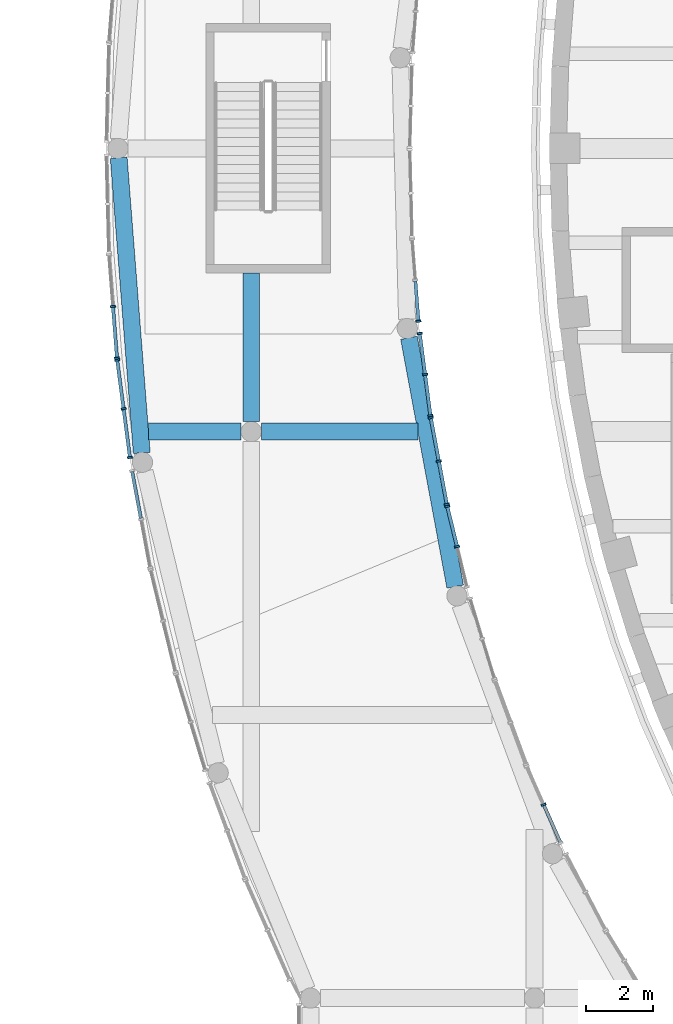
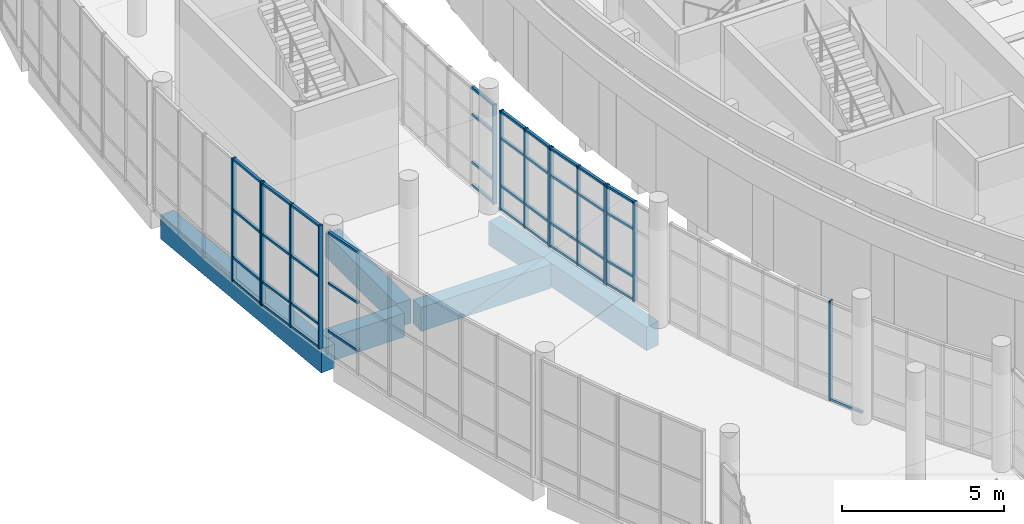
# One storey, part 17 of 119: 55 members, 5 beams, 8 elements without a shape of their own.
"""IFC4 building model written with IfcOpenShell, lengths in metres."""

from ifc_helpers import new_model, si_unit, direction, frame, origin, origin_2d, place, context, subcontext, project, spatial, rectangle, extrude, material, layer, layer_set, material_profile, profile_set, type_object, element, aggregate, save


model = new_model("IFC4")

# Units and contexts
model_context = context("Model", 3, precision=1e-05, world=origin(), true_north=direction((0.0, 1.0)))
body_context = subcontext(model_context, "Body", "Model", "MODEL_VIEW")
ifc_project = project(units=[si_unit("LENGTHUNIT", "METRE"), si_unit("AREAUNIT", "SQUARE_METRE"), si_unit("VOLUMEUNIT", "CUBIC_METRE"), si_unit("PLANEANGLEUNIT", "RADIAN"), si_unit("MASSUNIT", "GRAM", prefix="KILO")], contexts=[model_context])

# Site, building, storey
site_placement = place(None, origin())
site = spatial("IfcSite", under=ifc_project, at=site_placement, CompositionType="ELEMENT")
building_placement = place(site_placement, origin())
building = spatial("IfcBuilding", under=site, at=building_placement, Name="Larchfold Concert Hall", CompositionType="ELEMENT")
storey_placement = place(building_placement, frame((0.0, 0.0, 4.800048828125)))
storey = spatial("IfcBuildingStorey", under=building, at=storey_placement, Name="L01", CompositionType="ELEMENT", Elevation=4.800048828125)

# Curtain wall, member
ifc_material_1 = material(Name="Anodised graphite aluminium curtain wall", Category="aluminium")
ifc_layer = layer(ifc_material_1, 0.14990234375)
ifc_layer_set = layer_set([ifc_layer], Name="Anodised graphite aluminium curtain wall")
curtain_wall_type = type_object("IfcCurtainWallType", Name="Curtain wall WG", PredefinedType="NOTDEFINED", material=ifc_layer_set)
curtain_wall_1_placement = place(storey_placement, origin())
curtain_wall_1 = element("IfcCurtainWall", 1, at=curtain_wall_1_placement, inside=storey, type_object=curtain_wall_type, Name="Curtain wall CW0139", PredefinedType="NOTDEFINED")
ifc_material_2 = material(Name="Anodised graphite aluminium mullion", Category="aluminium")
ifc_material_profile_1 = material_profile(ifc_material_2, rectangle(XDim=0.14990234375, YDim=0.06005859375, at=origin_2d()))
ifc_profile_set_1 = profile_set([ifc_material_profile_1], Name="Anodised graphite aluminium mullion")
member_type_1 = type_object("IfcMemberType", Name="Aluminium mullion 60x150", PredefinedType="MULLION", material=ifc_profile_set_1)
member_1_placement = place(storey_placement, frame((17.672119140625, 65.135986328125, 0.0), z_axis=(0.0, 0.0, 1.0), x_axis=(-0.914747417506, -0.40402618995, 0.0)))
member_1 = element("IfcMember", 2, at=member_1_placement, type_object=member_type_1, Name="CW0139 mullion 2", PredefinedType="MULLION", context=body_context, shape_type="SweptSolid", body=[
    extrude(rectangle(XDim=0.14990234375, YDim=0.06005859375, at=origin_2d()), origin(), (0.0, 0.0, 1.0), 3.75),
])

# Curtain wall, members
curtain_wall_2_placement = place(storey_placement, origin())
curtain_wall_2 = element("IfcCurtainWall", 3, at=curtain_wall_2_placement, inside=storey, type_object=curtain_wall_type, Name="Curtain wall CW0142", PredefinedType="NOTDEFINED")
member_2_placement = place(storey_placement, frame((15.1044921875, 72.787841796875, 0.0), z_axis=(0.0, 0.0, 1.0), x_axis=(-0.971766073128, -0.235946390347, 0.0)))
member_2 = element("IfcMember", 4, at=member_2_placement, type_object=member_type_1, Name="CW0142 mullion 2", PredefinedType="MULLION", context=body_context, shape_type="SweptSolid", body=[
    extrude(rectangle(XDim=0.14990234375, YDim=0.06005859375, at=origin_2d()), origin(), (0.0, 0.0, 1.0), 3.75),
])
member_3_placement = place(storey_placement, frame((14.81396484375, 73.984130859375, 0.0), z_axis=(0.0, 0.0, 1.0), x_axis=(-0.971766073128, -0.235946390347, 0.0)))
member_3 = element("IfcMember", 5, at=member_3_placement, type_object=member_type_1, Name="CW0142 mullion 3", PredefinedType="MULLION", context=body_context, shape_type="SweptSolid", body=[
    extrude(rectangle(XDim=0.14990234375, YDim=0.06005859375, at=origin_2d()), origin(), (0.0, 0.0, 1.0), 3.75),
])

curtain_wall_3_placement = place(storey_placement, origin())
curtain_wall_3 = element("IfcCurtainWall", 6, at=curtain_wall_3_placement, inside=storey, type_object=curtain_wall_type, Name="Curtain wall CW0143", PredefinedType="NOTDEFINED")
member_4_placement = place(storey_placement, frame((14.801513671875, 74.042724609375, 0.0), z_axis=(0.0, 0.0, 1.0), x_axis=(-0.983226211079, -0.182390289896, 0.0)))
member_4 = element("IfcMember", 7, at=member_4_placement, type_object=member_type_1, Name="CW0143 mullion 1", PredefinedType="MULLION", context=body_context, shape_type="SweptSolid", body=[
    extrude(rectangle(XDim=0.14990234375, YDim=0.06005859375, at=origin_2d()), origin(), (0.0, 0.0, 1.0), 3.75),
])
member_5_placement = place(storey_placement, frame((14.563232421875, 75.32666015625, 0.0), z_axis=(0.0, 0.0, 1.0), x_axis=(-0.983226211079, -0.182390289896, 0.0)))
member_5 = element("IfcMember", 8, at=member_5_placement, type_object=member_type_1, Name="CW0143 mullion 2", PredefinedType="MULLION", context=body_context, shape_type="SweptSolid", body=[
    extrude(rectangle(XDim=0.14990234375, YDim=0.06005859375, at=origin_2d()), origin(), (0.0, 0.0, 1.0), 3.75),
])
member_6_placement = place(storey_placement, frame((14.324951171875, 76.610595703125, 0.0), z_axis=(0.0, 0.0, 1.0), x_axis=(-0.983226211079, -0.182390289896, 0.0)))
member_6 = element("IfcMember", 9, at=member_6_placement, type_object=member_type_1, Name="CW0143 mullion 3", PredefinedType="MULLION", context=body_context, shape_type="SweptSolid", body=[
    extrude(rectangle(XDim=0.14990234375, YDim=0.06005859375, at=origin_2d()), origin(), (0.0, 0.0, 1.0), 3.75),
])

curtain_wall_4_placement = place(storey_placement, origin())
curtain_wall_4 = element("IfcCurtainWall", 10, at=curtain_wall_4_placement, inside=storey, type_object=curtain_wall_type, Name="Curtain wall CW0144", PredefinedType="NOTDEFINED")
member_7_placement = place(storey_placement, frame((14.315673828125, 76.669921875, 0.0), z_axis=(0.0, 0.0, 1.0), x_axis=(-0.991556102919, -0.129678428289, 0.0)))
member_7 = element("IfcMember", 11, at=member_7_placement, type_object=member_type_1, Name="CW0144 mullion 1", PredefinedType="MULLION", context=body_context, shape_type="SweptSolid", body=[
    extrude(rectangle(XDim=0.14990234375, YDim=0.06005859375, at=origin_2d()), origin(), (0.0, 0.0, 1.0), 3.75),
])
member_8_placement = place(storey_placement, frame((14.156005859375, 77.890869140625, 0.0), z_axis=(0.0, 0.0, 1.0), x_axis=(-0.991556102919, -0.129678428289, 0.0)))
member_8 = element("IfcMember", 12, at=member_8_placement, type_object=member_type_1, Name="CW0144 mullion 2", PredefinedType="MULLION", context=body_context, shape_type="SweptSolid", body=[
    extrude(rectangle(XDim=0.14990234375, YDim=0.06005859375, at=origin_2d()), origin(), (0.0, 0.0, 1.0), 3.75),
])
member_9_placement = place(storey_placement, frame((13.996337890625, 79.11181640625, 0.0), z_axis=(0.0, 0.0, 1.0), x_axis=(-0.991556102919, -0.129678428289, 0.0)))
member_9 = element("IfcMember", 13, at=member_9_placement, type_object=member_type_1, Name="CW0144 mullion 3", PredefinedType="MULLION", context=body_context, shape_type="SweptSolid", body=[
    extrude(rectangle(XDim=0.14990234375, YDim=0.06005859375, at=origin_2d()), origin(), (0.0, 0.0, 1.0), 3.75),
])

# Curtain wall, member
curtain_wall_5_placement = place(storey_placement, origin())
curtain_wall_5 = element("IfcCurtainWall", 14, at=curtain_wall_5_placement, inside=storey, type_object=curtain_wall_type, Name="Curtain wall CW0145", PredefinedType="NOTDEFINED")
member_10_placement = place(storey_placement, frame((13.958740234375, 79.477294921875, 0.0), z_axis=(0.0, 0.0, 1.0), x_axis=(-0.996988627345, -0.077547900972, 0.0)))
member_10 = element("IfcMember", 15, at=member_10_placement, type_object=member_type_1, Name="CW0145 mullion 1", PredefinedType="MULLION", context=body_context, shape_type="SweptSolid", body=[
    extrude(rectangle(XDim=0.14990234375, YDim=0.06005859375, at=origin_2d()), origin(), (0.0, 0.0, 1.0), 3.75),
])

# Curtain wall, members
curtain_wall_6_placement = place(storey_placement, origin())
curtain_wall_6 = element("IfcCurtainWall", 16, at=curtain_wall_6_placement, inside=storey, type_object=curtain_wall_type, Name="Curtain wall CW0197", PredefinedType="NOTDEFINED")
member_11_placement = place(storey_placement, frame((4.897705078125, 79.912841796875, 0.0), z_axis=(0.0, 0.0, 1.0), x_axis=(0.996995051833, 0.077465260739, 0.0)))
member_11 = element("IfcMember", 17, at=member_11_placement, type_object=member_type_1, Name="CW0197 mullion 2", PredefinedType="MULLION", context=body_context, shape_type="SweptSolid", body=[
    extrude(rectangle(XDim=0.14990234375, YDim=0.06005859375, at=origin_2d()), origin(), (0.0, 0.0, 1.0), 4.64990234375),
])
member_12_placement = place(storey_placement, frame((5.0166015625, 78.381103515625, 0.0), z_axis=(0.0, 0.0, 1.0), x_axis=(0.996995051833, 0.077465260739, 0.0)))
member_12 = element("IfcMember", 18, at=member_12_placement, type_object=member_type_1, Name="CW0197 mullion 3", PredefinedType="MULLION", context=body_context, shape_type="SweptSolid", body=[
    extrude(rectangle(XDim=0.14990234375, YDim=0.06005859375, at=origin_2d()), origin(), (0.0, 0.0, 1.0), 4.64990234375),
])

curtain_wall_7_placement = place(storey_placement, origin())
curtain_wall_7 = element("IfcCurtainWall", 19, at=curtain_wall_7_placement, inside=storey, type_object=curtain_wall_type, Name="Curtain wall CW0198", PredefinedType="NOTDEFINED")
member_13_placement = place(storey_placement, frame((5.02294921875, 78.3212890625, 0.0), z_axis=(0.0, 0.0, 1.0), x_axis=(0.99154490594, 0.129764014676, 0.0)))
member_13 = element("IfcMember", 20, at=member_13_placement, type_object=member_type_1, Name="CW0198 mullion 1", PredefinedType="MULLION", context=body_context, shape_type="SweptSolid", body=[
    extrude(rectangle(XDim=0.14990234375, YDim=0.06005859375, at=origin_2d()), origin(), (0.0, 0.0, 1.0), 4.64990234375),
])
member_14_placement = place(storey_placement, frame((5.2119140625, 76.87744140625, 0.0), z_axis=(0.0, 0.0, 1.0), x_axis=(0.99154490594, 0.129764014676, 0.0)))
member_14 = element("IfcMember", 21, at=member_14_placement, type_object=member_type_1, Name="CW0198 mullion 2", PredefinedType="MULLION", context=body_context, shape_type="SweptSolid", body=[
    extrude(rectangle(XDim=0.14990234375, YDim=0.06005859375, at=origin_2d()), origin(), (0.0, 0.0, 1.0), 4.64990234375),
])
member_15_placement = place(storey_placement, frame((5.40087890625, 75.433349609375, 0.0), z_axis=(0.0, 0.0, 1.0), x_axis=(0.99154490594, 0.129764014676, 0.0)))
member_15 = element("IfcMember", 22, at=member_15_placement, type_object=member_type_1, Name="CW0198 mullion 3", PredefinedType="MULLION", context=body_context, shape_type="SweptSolid", body=[
    extrude(rectangle(XDim=0.14990234375, YDim=0.06005859375, at=origin_2d()), origin(), (0.0, 0.0, 1.0), 4.64990234375),
])

# Member
ifc_material_3 = material(Name="Anodised graphite aluminium transom", Category="aluminium")
ifc_material_profile_2 = material_profile(ifc_material_3, rectangle(XDim=0.10009765625, YDim=0.080078125, at=origin_2d()))
ifc_profile_set_2 = profile_set([ifc_material_profile_2], Name="Anodised graphite aluminium transom")
member_type_2 = type_object("IfcMemberType", Name="Aluminium transom 80x100", PredefinedType="USERDEFINED", material=ifc_profile_set_2)
member_16_placement = place(storey_placement, frame((18.163818359375, 64.02294921875, 0.0400390625), z_axis=(-0.403999745193, 0.914759097186, 0.0), x_axis=(-0.914759097186, -0.403999745193, 0.0)))
member_16 = element("IfcMember", 23, at=member_16_placement, type_object=member_type_2, Name="CW0139 transom 1.1", ObjectType="TRANSOM", PredefinedType="USERDEFINED", context=body_context, shape_type="SweptSolid", body=[
    extrude(rectangle(XDim=0.10009765625, YDim=0.080078125, at=origin_2d()), origin(), (0.0, 0.0, 1.0), 1.186767578125),
])

aggregate(curtain_wall_1, [member_1, member_16])

member_17_placement = place(storey_placement, frame((15.097412109375, 72.817138671875, 0.0400390625), z_axis=(-0.236053588848, 0.971740038895, 0.0), x_axis=(-0.971740038895, -0.236053588848, 0.0)))
member_17 = element("IfcMember", 24, at=member_17_placement, type_object=member_type_2, Name="CW0142 transom 2.1", ObjectType="TRANSOM", PredefinedType="USERDEFINED", context=body_context, shape_type="SweptSolid", body=[
    extrude(rectangle(XDim=0.10009765625, YDim=0.080078125, at=origin_2d()), origin(), (0.0, 0.0, 1.0), 1.1708984375),
])

member_18_placement = place(storey_placement, frame((15.097412109375, 72.817138671875, 0.89990234375), z_axis=(-0.236053588848, 0.971740038895, 0.0), x_axis=(-0.971740038895, -0.236053588848, 0.0)))
member_18 = element("IfcMember", 25, at=member_18_placement, type_object=member_type_2, Name="CW0142 transom 2.2", ObjectType="TRANSOM", PredefinedType="USERDEFINED", context=body_context, shape_type="SweptSolid", body=[
    extrude(rectangle(XDim=0.10009765625, YDim=0.080078125, at=origin_2d()), origin(), (0.0, 0.0, 1.0), 1.1708984375),
])

member_19_placement = place(storey_placement, frame((15.097412109375, 72.817138671875, 2.699951171875), z_axis=(-0.236053588848, 0.971740038895, 0.0), x_axis=(-0.971740038895, -0.236053588848, 0.0)))
member_19 = element("IfcMember", 26, at=member_19_placement, type_object=member_type_2, Name="CW0142 transom 2.3", ObjectType="TRANSOM", PredefinedType="USERDEFINED", context=body_context, shape_type="SweptSolid", body=[
    extrude(rectangle(XDim=0.10009765625, YDim=0.080078125, at=origin_2d()), origin(), (0.0, 0.0, 1.0), 1.1708984375),
])

member_20_placement = place(storey_placement, frame((15.097412109375, 72.817138671875, 3.7099609375), z_axis=(-0.236053588848, 0.971740038895, 0.0), x_axis=(-0.971740038895, -0.236053588848, 0.0)))
member_20 = element("IfcMember", 27, at=member_20_placement, type_object=member_type_2, Name="CW0142 transom 2.4", ObjectType="TRANSOM", PredefinedType="USERDEFINED", context=body_context, shape_type="SweptSolid", body=[
    extrude(rectangle(XDim=0.10009765625, YDim=0.080078125, at=origin_2d()), origin(), (0.0, 0.0, 1.0), 1.1708984375),
])

aggregate(curtain_wall_2, [member_2, member_3, member_17, member_18, member_19, member_20])

member_21_placement = place(storey_placement, frame((14.7958984375, 74.072265625, 0.0400390625), z_axis=(-0.182454169497, 0.983214359147, 0.0), x_axis=(-0.983214359147, -0.182454169497, 0.0)))
member_21 = element("IfcMember", 28, at=member_21_placement, type_object=member_type_2, Name="CW0143 transom 1.1", ObjectType="TRANSOM", PredefinedType="USERDEFINED", context=body_context, shape_type="SweptSolid", body=[
    extrude(rectangle(XDim=0.10009765625, YDim=0.080078125, at=origin_2d()), origin(), (0.0, 0.0, 1.0), 1.245849609375),
])

member_22_placement = place(storey_placement, frame((14.7958984375, 74.072265625, 0.89990234375), z_axis=(-0.182454169497, 0.983214359147, 0.0), x_axis=(-0.983214359147, -0.182454169497, 0.0)))
member_22 = element("IfcMember", 29, at=member_22_placement, type_object=member_type_2, Name="CW0143 transom 1.2", ObjectType="TRANSOM", PredefinedType="USERDEFINED", context=body_context, shape_type="SweptSolid", body=[
    extrude(rectangle(XDim=0.10009765625, YDim=0.080078125, at=origin_2d()), origin(), (0.0, 0.0, 1.0), 1.245849609375),
])

member_23_placement = place(storey_placement, frame((14.7958984375, 74.072265625, 2.699951171875), z_axis=(-0.182454169497, 0.983214359147, 0.0), x_axis=(-0.983214359147, -0.182454169497, 0.0)))
member_23 = element("IfcMember", 30, at=member_23_placement, type_object=member_type_2, Name="CW0143 transom 1.3", ObjectType="TRANSOM", PredefinedType="USERDEFINED", context=body_context, shape_type="SweptSolid", body=[
    extrude(rectangle(XDim=0.10009765625, YDim=0.080078125, at=origin_2d()), origin(), (0.0, 0.0, 1.0), 1.245849609375),
])

member_24_placement = place(storey_placement, frame((14.7958984375, 74.072265625, 3.7099609375), z_axis=(-0.182454169497, 0.983214359147, 0.0), x_axis=(-0.983214359147, -0.182454169497, 0.0)))
member_24 = element("IfcMember", 31, at=member_24_placement, type_object=member_type_2, Name="CW0143 transom 1.4", ObjectType="TRANSOM", PredefinedType="USERDEFINED", context=body_context, shape_type="SweptSolid", body=[
    extrude(rectangle(XDim=0.10009765625, YDim=0.080078125, at=origin_2d()), origin(), (0.0, 0.0, 1.0), 1.245849609375),
])

member_25_placement = place(storey_placement, frame((14.557861328125, 75.356201171875, 0.0400390625), z_axis=(-0.182454169497, 0.983214359147, 0.0), x_axis=(-0.983214359147, -0.182454169497, 0.0)))
member_25 = element("IfcMember", 32, at=member_25_placement, type_object=member_type_2, Name="CW0143 transom 2.1", ObjectType="TRANSOM", PredefinedType="USERDEFINED", context=body_context, shape_type="SweptSolid", body=[
    extrude(rectangle(XDim=0.10009765625, YDim=0.080078125, at=origin_2d()), origin(), (0.0, 0.0, 1.0), 1.245849609375),
])

member_26_placement = place(storey_placement, frame((14.557861328125, 75.356201171875, 0.89990234375), z_axis=(-0.182454169497, 0.983214359147, 0.0), x_axis=(-0.983214359147, -0.182454169497, 0.0)))
member_26 = element("IfcMember", 33, at=member_26_placement, type_object=member_type_2, Name="CW0143 transom 2.2", ObjectType="TRANSOM", PredefinedType="USERDEFINED", context=body_context, shape_type="SweptSolid", body=[
    extrude(rectangle(XDim=0.10009765625, YDim=0.080078125, at=origin_2d()), origin(), (0.0, 0.0, 1.0), 1.245849609375),
])

member_27_placement = place(storey_placement, frame((14.557861328125, 75.356201171875, 2.699951171875), z_axis=(-0.182454169497, 0.983214359147, 0.0), x_axis=(-0.983214359147, -0.182454169497, 0.0)))
member_27 = element("IfcMember", 34, at=member_27_placement, type_object=member_type_2, Name="CW0143 transom 2.3", ObjectType="TRANSOM", PredefinedType="USERDEFINED", context=body_context, shape_type="SweptSolid", body=[
    extrude(rectangle(XDim=0.10009765625, YDim=0.080078125, at=origin_2d()), origin(), (0.0, 0.0, 1.0), 1.245849609375),
])

member_28_placement = place(storey_placement, frame((14.557861328125, 75.356201171875, 3.7099609375), z_axis=(-0.182454169497, 0.983214359147, 0.0), x_axis=(-0.983214359147, -0.182454169497, 0.0)))
member_28 = element("IfcMember", 35, at=member_28_placement, type_object=member_type_2, Name="CW0143 transom 2.4", ObjectType="TRANSOM", PredefinedType="USERDEFINED", context=body_context, shape_type="SweptSolid", body=[
    extrude(rectangle(XDim=0.10009765625, YDim=0.080078125, at=origin_2d()), origin(), (0.0, 0.0, 1.0), 1.245849609375),
])

aggregate(curtain_wall_3, [member_4, member_5, member_6, member_21, member_22, member_23, member_24, member_25, member_26, member_27, member_28])

member_29_placement = place(storey_placement, frame((14.311767578125, 76.69970703125, 0.0400390625), z_axis=(-0.129651066135, 0.991559681033, 0.0), x_axis=(-0.991559681033, -0.129651066135, 0.0)))
member_29 = element("IfcMember", 36, at=member_29_placement, type_object=member_type_2, Name="CW0144 transom 1.1", ObjectType="TRANSOM", PredefinedType="USERDEFINED", context=body_context, shape_type="SweptSolid", body=[
    extrude(rectangle(XDim=0.10009765625, YDim=0.080078125, at=origin_2d()), origin(), (0.0, 0.0, 1.0), 1.171142578125),
])

member_30_placement = place(storey_placement, frame((14.311767578125, 76.69970703125, 0.89990234375), z_axis=(-0.129651066135, 0.991559681033, 0.0), x_axis=(-0.991559681033, -0.129651066135, 0.0)))
member_30 = element("IfcMember", 37, at=member_30_placement, type_object=member_type_2, Name="CW0144 transom 1.2", ObjectType="TRANSOM", PredefinedType="USERDEFINED", context=body_context, shape_type="SweptSolid", body=[
    extrude(rectangle(XDim=0.10009765625, YDim=0.080078125, at=origin_2d()), origin(), (0.0, 0.0, 1.0), 1.171142578125),
])

member_31_placement = place(storey_placement, frame((14.311767578125, 76.69970703125, 2.699951171875), z_axis=(-0.129651066135, 0.991559681033, 0.0), x_axis=(-0.991559681033, -0.129651066135, 0.0)))
member_31 = element("IfcMember", 38, at=member_31_placement, type_object=member_type_2, Name="CW0144 transom 1.3", ObjectType="TRANSOM", PredefinedType="USERDEFINED", context=body_context, shape_type="SweptSolid", body=[
    extrude(rectangle(XDim=0.10009765625, YDim=0.080078125, at=origin_2d()), origin(), (0.0, 0.0, 1.0), 1.171142578125),
])

member_32_placement = place(storey_placement, frame((14.311767578125, 76.69970703125, 3.7099609375), z_axis=(-0.129651066135, 0.991559681033, 0.0), x_axis=(-0.991559681033, -0.129651066135, 0.0)))
member_32 = element("IfcMember", 39, at=member_32_placement, type_object=member_type_2, Name="CW0144 transom 1.4", ObjectType="TRANSOM", PredefinedType="USERDEFINED", context=body_context, shape_type="SweptSolid", body=[
    extrude(rectangle(XDim=0.10009765625, YDim=0.080078125, at=origin_2d()), origin(), (0.0, 0.0, 1.0), 1.171142578125),
])

member_33_placement = place(storey_placement, frame((14.152099609375, 77.920654296875, 0.0400390625), z_axis=(-0.129651066135, 0.991559681033, 0.0), x_axis=(-0.991559681033, -0.129651066135, 0.0)))
member_33 = element("IfcMember", 40, at=member_33_placement, type_object=member_type_2, Name="CW0144 transom 2.1", ObjectType="TRANSOM", PredefinedType="USERDEFINED", context=body_context, shape_type="SweptSolid", body=[
    extrude(rectangle(XDim=0.10009765625, YDim=0.080078125, at=origin_2d()), origin(), (0.0, 0.0, 1.0), 1.171142578125),
])

member_34_placement = place(storey_placement, frame((14.152099609375, 77.920654296875, 0.89990234375), z_axis=(-0.129651066135, 0.991559681033, 0.0), x_axis=(-0.991559681033, -0.129651066135, 0.0)))
member_34 = element("IfcMember", 41, at=member_34_placement, type_object=member_type_2, Name="CW0144 transom 2.2", ObjectType="TRANSOM", PredefinedType="USERDEFINED", context=body_context, shape_type="SweptSolid", body=[
    extrude(rectangle(XDim=0.10009765625, YDim=0.080078125, at=origin_2d()), origin(), (0.0, 0.0, 1.0), 1.171142578125),
])

member_35_placement = place(storey_placement, frame((14.152099609375, 77.920654296875, 2.699951171875), z_axis=(-0.129651066135, 0.991559681033, 0.0), x_axis=(-0.991559681033, -0.129651066135, 0.0)))
member_35 = element("IfcMember", 42, at=member_35_placement, type_object=member_type_2, Name="CW0144 transom 2.3", ObjectType="TRANSOM", PredefinedType="USERDEFINED", context=body_context, shape_type="SweptSolid", body=[
    extrude(rectangle(XDim=0.10009765625, YDim=0.080078125, at=origin_2d()), origin(), (0.0, 0.0, 1.0), 1.171142578125),
])

member_36_placement = place(storey_placement, frame((14.152099609375, 77.920654296875, 3.7099609375), z_axis=(-0.129651066135, 0.991559681033, 0.0), x_axis=(-0.991559681033, -0.129651066135, 0.0)))
member_36 = element("IfcMember", 43, at=member_36_placement, type_object=member_type_2, Name="CW0144 transom 2.4", ObjectType="TRANSOM", PredefinedType="USERDEFINED", context=body_context, shape_type="SweptSolid", body=[
    extrude(rectangle(XDim=0.10009765625, YDim=0.080078125, at=origin_2d()), origin(), (0.0, 0.0, 1.0), 1.171142578125),
])

aggregate(curtain_wall_4, [member_7, member_8, member_9, member_29, member_30, member_31, member_32, member_33, member_34, member_35, member_36])

member_37_placement = place(storey_placement, frame((13.95654296875, 79.507080078125, 0.0400390625), z_axis=(-0.077469186407, 0.996994746805, 0.0), x_axis=(-0.996994746805, -0.077469186407, 0.0)))
member_37 = element("IfcMember", 44, at=member_37_placement, type_object=member_type_2, Name="CW0145 transom 1.1", ObjectType="TRANSOM", PredefinedType="USERDEFINED", context=body_context, shape_type="SweptSolid", body=[
    extrude(rectangle(XDim=0.10009765625, YDim=0.080078125, at=origin_2d()), origin(), (0.0, 0.0, 1.0), 1.15966796875),
])

member_38_placement = place(storey_placement, frame((13.95654296875, 79.507080078125, 0.89990234375), z_axis=(-0.077469186407, 0.996994746805, 0.0), x_axis=(-0.996994746805, -0.077469186407, 0.0)))
member_38 = element("IfcMember", 45, at=member_38_placement, type_object=member_type_2, Name="CW0145 transom 1.2", ObjectType="TRANSOM", PredefinedType="USERDEFINED", context=body_context, shape_type="SweptSolid", body=[
    extrude(rectangle(XDim=0.10009765625, YDim=0.080078125, at=origin_2d()), origin(), (0.0, 0.0, 1.0), 1.15966796875),
])

member_39_placement = place(storey_placement, frame((13.95654296875, 79.507080078125, 2.699951171875), z_axis=(-0.077469186407, 0.996994746805, 0.0), x_axis=(-0.996994746805, -0.077469186407, 0.0)))
member_39 = element("IfcMember", 46, at=member_39_placement, type_object=member_type_2, Name="CW0145 transom 1.3", ObjectType="TRANSOM", PredefinedType="USERDEFINED", context=body_context, shape_type="SweptSolid", body=[
    extrude(rectangle(XDim=0.10009765625, YDim=0.080078125, at=origin_2d()), origin(), (0.0, 0.0, 1.0), 1.15966796875),
])

member_40_placement = place(storey_placement, frame((13.95654296875, 79.507080078125, 3.7099609375), z_axis=(-0.077469186407, 0.996994746805, 0.0), x_axis=(-0.996994746805, -0.077469186407, 0.0)))
member_40 = element("IfcMember", 47, at=member_40_placement, type_object=member_type_2, Name="CW0145 transom 1.4", ObjectType="TRANSOM", PredefinedType="USERDEFINED", context=body_context, shape_type="SweptSolid", body=[
    extrude(rectangle(XDim=0.10009765625, YDim=0.080078125, at=origin_2d()), origin(), (0.0, 0.0, 1.0), 1.15966796875),
])

aggregate(curtain_wall_5, [member_10, member_37, member_38, member_39, member_40])

member_41_placement = place(storey_placement, frame((4.900146484375, 79.8828125, 0.0400390625), z_axis=(0.077391996533, -0.997000741661, 0.0), x_axis=(0.997000741661, 0.077391996533, 0.0)))
member_41 = element("IfcMember", 48, at=member_41_placement, type_object=member_type_2, Name="CW0197 transom 2.1", ObjectType="TRANSOM", PredefinedType="USERDEFINED", context=body_context, shape_type="SweptSolid", body=[
    extrude(rectangle(XDim=0.10009765625, YDim=0.080078125, at=origin_2d()), origin(), (0.0, 0.0, 1.0), 1.476318359375),
])

member_42_placement = place(storey_placement, frame((4.900146484375, 79.8828125, 0.89990234375), z_axis=(0.077391996533, -0.997000741661, 0.0), x_axis=(0.997000741661, 0.077391996533, 0.0)))
member_42 = element("IfcMember", 49, at=member_42_placement, type_object=member_type_2, Name="CW0197 transom 2.2", ObjectType="TRANSOM", PredefinedType="USERDEFINED", context=body_context, shape_type="SweptSolid", body=[
    extrude(rectangle(XDim=0.10009765625, YDim=0.080078125, at=origin_2d()), origin(), (0.0, 0.0, 1.0), 1.476318359375),
])

member_43_placement = place(storey_placement, frame((4.900146484375, 79.8828125, 2.699951171875), z_axis=(0.077391996533, -0.997000741661, 0.0), x_axis=(0.997000741661, 0.077391996533, 0.0)))
member_43 = element("IfcMember", 50, at=member_43_placement, type_object=member_type_2, Name="CW0197 transom 2.3", ObjectType="TRANSOM", PredefinedType="USERDEFINED", context=body_context, shape_type="SweptSolid", body=[
    extrude(rectangle(XDim=0.10009765625, YDim=0.080078125, at=origin_2d()), origin(), (0.0, 0.0, 1.0), 1.476318359375),
])

member_44_placement = place(storey_placement, frame((4.900146484375, 79.8828125, 4.60986328125), z_axis=(0.077391996533, -0.997000741661, 0.0), x_axis=(0.997000741661, 0.077391996533, 0.0)))
member_44 = element("IfcMember", 51, at=member_44_placement, type_object=member_type_2, Name="CW0197 transom 2.4", ObjectType="TRANSOM", PredefinedType="USERDEFINED", context=body_context, shape_type="SweptSolid", body=[
    extrude(rectangle(XDim=0.10009765625, YDim=0.080078125, at=origin_2d()), origin(), (0.0, 0.0, 1.0), 1.476318359375),
])

aggregate(curtain_wall_6, [member_11, member_12, member_41, member_42, member_43, member_44])

member_45_placement = place(storey_placement, frame((5.02685546875, 78.29150390625, 0.0400390625), z_axis=(0.129735338481, -0.991548658387, 0.0), x_axis=(0.991548658387, 0.129735338481, 0.0)))
member_45 = element("IfcMember", 52, at=member_45_placement, type_object=member_type_2, Name="CW0198 transom 1.1", ObjectType="TRANSOM", PredefinedType="USERDEFINED", context=body_context, shape_type="SweptSolid", body=[
    extrude(rectangle(XDim=0.10009765625, YDim=0.080078125, at=origin_2d()), origin(), (0.0, 0.0, 1.0), 1.396240234375),
])

member_46_placement = place(storey_placement, frame((5.02685546875, 78.29150390625, 0.89990234375), z_axis=(0.129735338481, -0.991548658387, 0.0), x_axis=(0.991548658387, 0.129735338481, 0.0)))
member_46 = element("IfcMember", 53, at=member_46_placement, type_object=member_type_2, Name="CW0198 transom 1.2", ObjectType="TRANSOM", PredefinedType="USERDEFINED", context=body_context, shape_type="SweptSolid", body=[
    extrude(rectangle(XDim=0.10009765625, YDim=0.080078125, at=origin_2d()), origin(), (0.0, 0.0, 1.0), 1.396240234375),
])

member_47_placement = place(storey_placement, frame((5.02685546875, 78.29150390625, 2.699951171875), z_axis=(0.129735338481, -0.991548658387, 0.0), x_axis=(0.991548658387, 0.129735338481, 0.0)))
member_47 = element("IfcMember", 54, at=member_47_placement, type_object=member_type_2, Name="CW0198 transom 1.3", ObjectType="TRANSOM", PredefinedType="USERDEFINED", context=body_context, shape_type="SweptSolid", body=[
    extrude(rectangle(XDim=0.10009765625, YDim=0.080078125, at=origin_2d()), origin(), (0.0, 0.0, 1.0), 1.396240234375),
])

member_48_placement = place(storey_placement, frame((5.02685546875, 78.29150390625, 4.60986328125), z_axis=(0.129735338481, -0.991548658387, 0.0), x_axis=(0.991548658387, 0.129735338481, 0.0)))
member_48 = element("IfcMember", 55, at=member_48_placement, type_object=member_type_2, Name="CW0198 transom 1.4", ObjectType="TRANSOM", PredefinedType="USERDEFINED", context=body_context, shape_type="SweptSolid", body=[
    extrude(rectangle(XDim=0.10009765625, YDim=0.080078125, at=origin_2d()), origin(), (0.0, 0.0, 1.0), 1.396240234375),
])

member_49_placement = place(storey_placement, frame((5.2158203125, 76.84765625, 0.0400390625), z_axis=(0.129735338481, -0.991548658387, 0.0), x_axis=(0.991548658387, 0.129735338481, 0.0)))
member_49 = element("IfcMember", 56, at=member_49_placement, type_object=member_type_2, Name="CW0198 transom 2.1", ObjectType="TRANSOM", PredefinedType="USERDEFINED", context=body_context, shape_type="SweptSolid", body=[
    extrude(rectangle(XDim=0.10009765625, YDim=0.080078125, at=origin_2d()), origin(), (0.0, 0.0, 1.0), 1.396240234375),
])

member_50_placement = place(storey_placement, frame((5.2158203125, 76.84765625, 0.89990234375), z_axis=(0.129735338481, -0.991548658387, 0.0), x_axis=(0.991548658387, 0.129735338481, 0.0)))
member_50 = element("IfcMember", 57, at=member_50_placement, type_object=member_type_2, Name="CW0198 transom 2.2", ObjectType="TRANSOM", PredefinedType="USERDEFINED", context=body_context, shape_type="SweptSolid", body=[
    extrude(rectangle(XDim=0.10009765625, YDim=0.080078125, at=origin_2d()), origin(), (0.0, 0.0, 1.0), 1.396240234375),
])

member_51_placement = place(storey_placement, frame((5.2158203125, 76.84765625, 2.699951171875), z_axis=(0.129735338481, -0.991548658387, 0.0), x_axis=(0.991548658387, 0.129735338481, 0.0)))
member_51 = element("IfcMember", 58, at=member_51_placement, type_object=member_type_2, Name="CW0198 transom 2.3", ObjectType="TRANSOM", PredefinedType="USERDEFINED", context=body_context, shape_type="SweptSolid", body=[
    extrude(rectangle(XDim=0.10009765625, YDim=0.080078125, at=origin_2d()), origin(), (0.0, 0.0, 1.0), 1.396240234375),
])

member_52_placement = place(storey_placement, frame((5.2158203125, 76.84765625, 4.60986328125), z_axis=(0.129735338481, -0.991548658387, 0.0), x_axis=(0.991548658387, 0.129735338481, 0.0)))
member_52 = element("IfcMember", 59, at=member_52_placement, type_object=member_type_2, Name="CW0198 transom 2.4", ObjectType="TRANSOM", PredefinedType="USERDEFINED", context=body_context, shape_type="SweptSolid", body=[
    extrude(rectangle(XDim=0.10009765625, YDim=0.080078125, at=origin_2d()), origin(), (0.0, 0.0, 1.0), 1.396240234375),
])

aggregate(curtain_wall_7, [member_13, member_14, member_15, member_45, member_46, member_47, member_48, member_49, member_50, member_51, member_52])

# Curtain wall, members
curtain_wall_8_placement = place(storey_placement, origin())
curtain_wall_8 = element("IfcCurtainWall", 60, at=curtain_wall_8_placement, inside=storey, type_object=curtain_wall_type, Name="Curtain wall CW0199", PredefinedType="NOTDEFINED")
member_53_placement = place(storey_placement, frame((5.468017578125, 75.01220703125, 0.89990234375), z_axis=(0.18233799129, -0.983235911128, 0.0), x_axis=(0.983235911128, 0.18233799129, 0.0)))
member_53 = element("IfcMember", 61, at=member_53_placement, type_object=member_type_2, Name="CW0199 transom 1.2", ObjectType="TRANSOM", PredefinedType="USERDEFINED", context=body_context, shape_type="SweptSolid", body=[
    extrude(rectangle(XDim=0.10009765625, YDim=0.080078125, at=origin_2d()), origin(), (0.0, 0.0, 1.0), 1.406005859375),
])
member_54_placement = place(storey_placement, frame((5.468017578125, 75.01220703125, 2.699951171875), z_axis=(0.18233799129, -0.983235911128, 0.0), x_axis=(0.983235911128, 0.18233799129, 0.0)))
member_54 = element("IfcMember", 62, at=member_54_placement, type_object=member_type_2, Name="CW0199 transom 1.3", ObjectType="TRANSOM", PredefinedType="USERDEFINED", context=body_context, shape_type="SweptSolid", body=[
    extrude(rectangle(XDim=0.10009765625, YDim=0.080078125, at=origin_2d()), origin(), (0.0, 0.0, 1.0), 1.406005859375),
])
member_55_placement = place(storey_placement, frame((5.468017578125, 75.01220703125, 4.60986328125), z_axis=(0.18233799129, -0.983235911128, 0.0), x_axis=(0.983235911128, 0.18233799129, 0.0)))
member_55 = element("IfcMember", 63, at=member_55_placement, type_object=member_type_2, Name="CW0199 transom 1.4", ObjectType="TRANSOM", PredefinedType="USERDEFINED", context=body_context, shape_type="SweptSolid", body=[
    extrude(rectangle(XDim=0.10009765625, YDim=0.080078125, at=origin_2d()), origin(), (0.0, 0.0, 1.0), 1.406005859375),
])
aggregate(curtain_wall_8, [member_53, member_54, member_55])

# Beams
ifc_material_4 = material(Name="Concrete C35/45", Category="concrete")
ifc_material_profile_3 = material_profile(ifc_material_4, rectangle(XDim=0.5, YDim=0.89990234375, at=origin_2d()))
ifc_profile_set_3 = profile_set([ifc_material_profile_3], Name="Concrete C35/45")
beam_type = type_object("IfcBeamType", Name="Beam RC 500x900", PredefinedType="BEAM", material=ifc_profile_set_3)
beam_1_placement = place(storey_placement, frame((5.751220703125, 75.569091796875, -0.60009765625), z_axis=(-0.077844907008, 0.996965481074, 0.0), x_axis=(-0.996965481074, -0.077844907008, 0.0)))
element("IfcBeam", 64, at=beam_1_placement, inside=storey, type_object=beam_type, Name="Beam B1871", PredefinedType="BEAM", context=body_context, shape_type="SweptSolid", body=[
    extrude(rectangle(XDim=0.5, YDim=0.89990234375, at=origin_2d()), origin(), (0.0, 0.0, 1.0), 8.7783203125),
])
beam_2_placement = place(storey_placement, frame((13.67626953125, 78.981689453125, -0.60009765625), z_axis=(0.182736827722, -0.983161864493, 0.0), x_axis=(0.983161864493, 0.182736827722, 0.0)))
element("IfcBeam", 65, at=beam_2_placement, inside=storey, type_object=beam_type, Name="Beam B1889", PredefinedType="BEAM", context=body_context, shape_type="SweptSolid", body=[
    extrude(rectangle(XDim=0.5, YDim=0.89990234375, at=origin_2d()), origin(), (0.0, 0.0, 1.0), 7.505859375),
])
beam_3_placement = place(storey_placement, frame((9.0, 76.498779296875, -0.60009765625), z_axis=(0.0, 1.0, 0.0), x_axis=(-1.0, 0.0, 0.0)))
element("IfcBeam", 66, at=beam_3_placement, inside=storey, type_object=beam_type, Name="Beam B1893", PredefinedType="BEAM", context=body_context, shape_type="SweptSolid", body=[
    extrude(rectangle(XDim=0.5, YDim=0.89990234375, at=origin_2d()), origin(), (0.0, 0.0, 1.0), 4.401123046875),
])
beam_4_placement = place(storey_placement, frame((5.95263671875, 76.199951171875, -0.60009765625), z_axis=(1.0, 0.0, 0.0), x_axis=(0.0, 1.0, 0.0)))
element("IfcBeam", 67, at=beam_4_placement, inside=storey, type_object=beam_type, Name="Beam B1920", PredefinedType="BEAM", context=body_context, shape_type="SweptSolid", body=[
    extrude(rectangle(XDim=0.5, YDim=0.89990234375, at=origin_2d()), origin(), (0.0, 0.0, 1.0), 2.74853515625),
])
beam_5_placement = place(storey_placement, frame((9.298828125, 76.199951171875, -0.60009765625), z_axis=(1.0, 0.0, 0.0), x_axis=(0.0, 1.0, 0.0)))
element("IfcBeam", 68, at=beam_5_placement, inside=storey, type_object=beam_type, Name="Beam B1921", PredefinedType="BEAM", context=body_context, shape_type="SweptSolid", body=[
    extrude(rectangle(XDim=0.5, YDim=0.89990234375, at=origin_2d()), origin(), (0.0, 0.0, 1.0), 4.64013671875),
])

save(model, "model.ifc")
